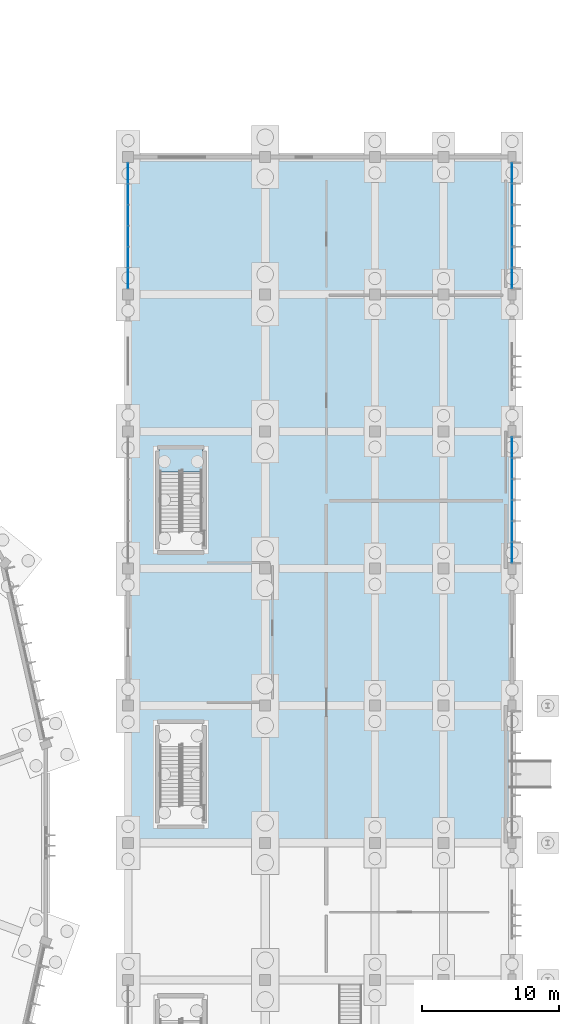
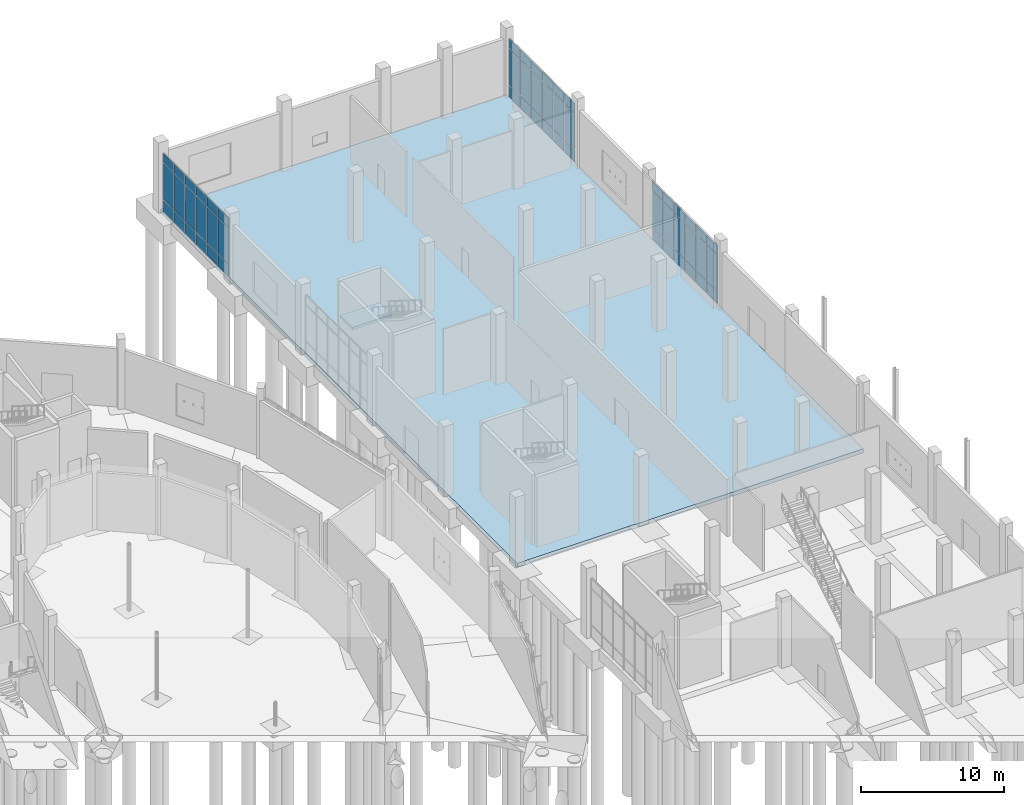
# One storey, part 71 of 140: 54 plates, 2 slabs, 4 elements without a shape of their own.
"""IFC4 building model written with IfcOpenShell, lengths in metres."""

from ifc_helpers import new_model, si_unit, direction, frame, origin, origin_2d, place, context, subcontext, project, spatial, polyline, rectangle, outline, extrude, material, layer, layer_set, type_object, element, aggregate, save


model = new_model("IFC4")

# Units and contexts
model_context = context("Model", 3, precision=1e-05, world=origin(), true_north=direction((0.0, 1.0)))
body_context = subcontext(model_context, "Body", "Model", "MODEL_VIEW")
ifc_project = project(units=[si_unit("LENGTHUNIT", "METRE"), si_unit("AREAUNIT", "SQUARE_METRE"), si_unit("VOLUMEUNIT", "CUBIC_METRE"), si_unit("PLANEANGLEUNIT", "RADIAN"), si_unit("MASSUNIT", "GRAM", prefix="KILO")], contexts=[model_context])

# Site, building, storey
site_placement = place(None, origin())
site = spatial("IfcSite", under=ifc_project, at=site_placement, CompositionType="ELEMENT")
building_placement = place(site_placement, origin())
building = spatial("IfcBuilding", under=site, at=building_placement, Name="Corvandel Quay Wholesale Market", CompositionType="ELEMENT")
storey_placement = place(building_placement, origin())
storey = spatial("IfcBuildingStorey", under=building, at=storey_placement, Name="L00", CompositionType="ELEMENT", Elevation=0.0)

# Curtain wall, plates
ifc_material_1 = material(Name="Bronze anodised aluminium and low-E insulated glazing", Category="aluminium")
ifc_layer_1 = layer(ifc_material_1, 0.14990234375)
ifc_layer_set_1 = layer_set([ifc_layer_1], Name="Bronze anodised aluminium and low-E insulated glazing")
curtain_wall_type_1 = type_object("IfcCurtainWallType", Name="Stick Curtain Wall System CW20 H4800", PredefinedType="NOTDEFINED", material=ifc_layer_set_1)
curtain_wall_1_placement = place(storey_placement, origin())
curtain_wall_1 = element("IfcCurtainWall", 1, at=curtain_wall_1_placement, inside=storey, type_object=curtain_wall_type_1, Name="Curtain Wall CW-0145", PredefinedType="NOTDEFINED")
ifc_material_2 = material(Name="Solar-control low-E insulated glazing", Category="glass")
ifc_layer_2 = layer(ifc_material_2, 0.0400390625)
ifc_layer_set_2 = layer_set([ifc_layer_2], Name="Solar-control low-E insulated glazing")
plate_type_1 = type_object("IfcPlateType", Name="Ceramic Fritted Spandrel Panel PN03 40mm", PredefinedType="CURTAIN_PANEL", material=ifc_layer_set_2)
plate_1_placement = place(storey_placement, frame((248.0, 81.166748046875, 4.22998046875), z_axis=(0.0, 0.0, 1.0), x_axis=(0.0, 1.0, 0.0)))
plate_1 = element("IfcPlate", 2, at=plate_1_placement, type_object=plate_type_1, Name="Glazing Panel CW-0145-P00-2", PredefinedType="CURTAIN_PANEL", context=body_context, shape_type="SweptSolid", body=[
    extrude(rectangle(XDim=1.46826171875, YDim=0.0400390625, at=origin_2d()), origin(), (0.0, 0.0, 1.0), 0.7900390625),
])
plate_2_placement = place(storey_placement, frame((248.0, 82.699951171875, 4.22998046875), z_axis=(0.0, 0.0, 1.0), x_axis=(0.0, 1.0, 0.0)))
plate_2 = element("IfcPlate", 3, at=plate_2_placement, type_object=plate_type_1, Name="Glazing Panel CW-0145-P01-2", PredefinedType="CURTAIN_PANEL", context=body_context, shape_type="SweptSolid", body=[
    extrude(rectangle(XDim=1.46826171875, YDim=0.0400390625, at=origin_2d()), origin(), (0.0, 0.0, 1.0), 0.7900390625),
])
plate_3_placement = place(storey_placement, frame((248.0, 84.2333984375, 4.22998046875), z_axis=(0.0, 0.0, 1.0), x_axis=(0.0, 1.0, 0.0)))
plate_3 = element("IfcPlate", 4, at=plate_3_placement, type_object=plate_type_1, Name="Glazing Panel CW-0145-P02-2", PredefinedType="CURTAIN_PANEL", context=body_context, shape_type="SweptSolid", body=[
    extrude(rectangle(XDim=1.46826171875, YDim=0.0400390625, at=origin_2d()), origin(), (0.0, 0.0, 1.0), 0.7900390625),
])
plate_4_placement = place(storey_placement, frame((248.0, 85.7666015625, 4.22998046875), z_axis=(0.0, 0.0, 1.0), x_axis=(0.0, 1.0, 0.0)))
plate_4 = element("IfcPlate", 5, at=plate_4_placement, type_object=plate_type_1, Name="Glazing Panel CW-0145-P03-2", PredefinedType="CURTAIN_PANEL", context=body_context, shape_type="SweptSolid", body=[
    extrude(rectangle(XDim=1.46826171875, YDim=0.0400390625, at=origin_2d()), origin(), (0.0, 0.0, 1.0), 0.7900390625),
])
plate_5_placement = place(storey_placement, frame((248.0, 87.300048828125, 4.22998046875), z_axis=(0.0, 0.0, 1.0), x_axis=(0.0, 1.0, 0.0)))
plate_5 = element("IfcPlate", 6, at=plate_5_placement, type_object=plate_type_1, Name="Glazing Panel CW-0145-P04-2", PredefinedType="CURTAIN_PANEL", context=body_context, shape_type="SweptSolid", body=[
    extrude(rectangle(XDim=1.46826171875, YDim=0.0400390625, at=origin_2d()), origin(), (0.0, 0.0, 1.0), 0.7900390625),
])
plate_6_placement = place(storey_placement, frame((248.0, 88.833251953125, 4.22998046875), z_axis=(0.0, 0.0, 1.0), x_axis=(0.0, 1.0, 0.0)))
plate_6 = element("IfcPlate", 7, at=plate_6_placement, type_object=plate_type_1, Name="Glazing Panel CW-0145-P05-2", PredefinedType="CURTAIN_PANEL", context=body_context, shape_type="SweptSolid", body=[
    extrude(rectangle(XDim=1.46826171875, YDim=0.0400390625, at=origin_2d()), origin(), (0.0, 0.0, 1.0), 0.7900390625),
])

ifc_layer_3 = layer(ifc_material_1, 0.174072265625)
ifc_layer_set_3 = layer_set([ifc_layer_3], Name="Bronze anodised aluminium and low-E insulated glazing")
curtain_wall_type_2 = type_object("IfcCurtainWallType", Name="Stick Curtain Wall System CW22 H4980", PredefinedType="NOTDEFINED", material=ifc_layer_set_3)
curtain_wall_2_placement = place(storey_placement, origin())
curtain_wall_2 = element("IfcCurtainWall", 8, at=curtain_wall_2_placement, inside=storey, type_object=curtain_wall_type_2, Name="Curtain Wall CW-0147", PredefinedType="NOTDEFINED")
plate_7_placement = place(storey_placement, frame((248.0, 101.166748046875, 4.22998046875), z_axis=(0.0, 0.0, 1.0), x_axis=(0.0, 1.0, 0.0)))
plate_7 = element("IfcPlate", 9, at=plate_7_placement, type_object=plate_type_1, Name="Glazing Panel CW-0147-P00-2", PredefinedType="CURTAIN_PANEL", context=body_context, shape_type="SweptSolid", body=[
    extrude(rectangle(XDim=1.46826171875, YDim=0.0400390625, at=origin_2d()), origin(), (0.0, 0.0, 1.0), 0.7900390625),
])
plate_8_placement = place(storey_placement, frame((248.0, 102.699951171875, 4.22998046875), z_axis=(0.0, 0.0, 1.0), x_axis=(0.0, 1.0, 0.0)))
plate_8 = element("IfcPlate", 10, at=plate_8_placement, type_object=plate_type_1, Name="Glazing Panel CW-0147-P01-2", PredefinedType="CURTAIN_PANEL", context=body_context, shape_type="SweptSolid", body=[
    extrude(rectangle(XDim=1.46826171875, YDim=0.0400390625, at=origin_2d()), origin(), (0.0, 0.0, 1.0), 0.7900390625),
])
plate_9_placement = place(storey_placement, frame((248.0, 104.2333984375, 4.22998046875), z_axis=(0.0, 0.0, 1.0), x_axis=(0.0, 1.0, 0.0)))
plate_9 = element("IfcPlate", 11, at=plate_9_placement, type_object=plate_type_1, Name="Glazing Panel CW-0147-P02-2", PredefinedType="CURTAIN_PANEL", context=body_context, shape_type="SweptSolid", body=[
    extrude(rectangle(XDim=1.46826171875, YDim=0.0400390625, at=origin_2d()), origin(), (0.0, 0.0, 1.0), 0.7900390625),
])
plate_10_placement = place(storey_placement, frame((248.0, 105.7666015625, 4.22998046875), z_axis=(0.0, 0.0, 1.0), x_axis=(0.0, 1.0, 0.0)))
plate_10 = element("IfcPlate", 12, at=plate_10_placement, type_object=plate_type_1, Name="Glazing Panel CW-0147-P03-2", PredefinedType="CURTAIN_PANEL", context=body_context, shape_type="SweptSolid", body=[
    extrude(rectangle(XDim=1.46826171875, YDim=0.0400390625, at=origin_2d()), origin(), (0.0, 0.0, 1.0), 0.7900390625),
])
plate_11_placement = place(storey_placement, frame((248.0, 107.300048828125, 4.22998046875), z_axis=(0.0, 0.0, 1.0), x_axis=(0.0, 1.0, 0.0)))
plate_11 = element("IfcPlate", 13, at=plate_11_placement, type_object=plate_type_1, Name="Glazing Panel CW-0147-P04-2", PredefinedType="CURTAIN_PANEL", context=body_context, shape_type="SweptSolid", body=[
    extrude(rectangle(XDim=1.46826171875, YDim=0.0400390625, at=origin_2d()), origin(), (0.0, 0.0, 1.0), 0.7900390625),
])
plate_12_placement = place(storey_placement, frame((248.0, 108.833251953125, 4.22998046875), z_axis=(0.0, 0.0, 1.0), x_axis=(0.0, 1.0, 0.0)))
plate_12 = element("IfcPlate", 14, at=plate_12_placement, type_object=plate_type_1, Name="Glazing Panel CW-0147-P05-2", PredefinedType="CURTAIN_PANEL", context=body_context, shape_type="SweptSolid", body=[
    extrude(rectangle(XDim=1.46826171875, YDim=0.0400390625, at=origin_2d()), origin(), (0.0, 0.0, 1.0), 0.7900390625),
])

ifc_layer_4 = layer(ifc_material_1, 0.18603515625)
ifc_layer_set_4 = layer_set([ifc_layer_4], Name="Bronze anodised aluminium and low-E insulated glazing")
curtain_wall_type_3 = type_object("IfcCurtainWallType", Name="Stick Curtain Wall System CW28 H5520", PredefinedType="NOTDEFINED", material=ifc_layer_set_4)
curtain_wall_3_placement = place(storey_placement, origin())
curtain_wall_3 = element("IfcCurtainWall", 15, at=curtain_wall_3_placement, inside=storey, type_object=curtain_wall_type_3, Name="Curtain Wall CW-0148", PredefinedType="NOTDEFINED")
plate_13_placement = place(storey_placement, frame((220.0, 101.166748046875, 4.22998046875), z_axis=(0.0, 0.0, 1.0), x_axis=(0.0, 1.0, 0.0)))
plate_13 = element("IfcPlate", 16, at=plate_13_placement, type_object=plate_type_1, Name="Glazing Panel CW-0148-P00-2", PredefinedType="CURTAIN_PANEL", context=body_context, shape_type="SweptSolid", body=[
    extrude(rectangle(XDim=1.46826171875, YDim=0.0400390625, at=origin_2d()), origin(), (0.0, 0.0, 1.0), 0.7900390625),
])
plate_14_placement = place(storey_placement, frame((220.0, 102.699951171875, 4.22998046875), z_axis=(0.0, 0.0, 1.0), x_axis=(0.0, 1.0, 0.0)))
plate_14 = element("IfcPlate", 17, at=plate_14_placement, type_object=plate_type_1, Name="Glazing Panel CW-0148-P01-2", PredefinedType="CURTAIN_PANEL", context=body_context, shape_type="SweptSolid", body=[
    extrude(rectangle(XDim=1.46826171875, YDim=0.0400390625, at=origin_2d()), origin(), (0.0, 0.0, 1.0), 0.7900390625),
])
plate_15_placement = place(storey_placement, frame((220.0, 104.2333984375, 4.22998046875), z_axis=(0.0, 0.0, 1.0), x_axis=(0.0, 1.0, 0.0)))
plate_15 = element("IfcPlate", 18, at=plate_15_placement, type_object=plate_type_1, Name="Glazing Panel CW-0148-P02-2", PredefinedType="CURTAIN_PANEL", context=body_context, shape_type="SweptSolid", body=[
    extrude(rectangle(XDim=1.46826171875, YDim=0.0400390625, at=origin_2d()), origin(), (0.0, 0.0, 1.0), 0.7900390625),
])
plate_16_placement = place(storey_placement, frame((220.0, 105.7666015625, 4.22998046875), z_axis=(0.0, 0.0, 1.0), x_axis=(0.0, 1.0, 0.0)))
plate_16 = element("IfcPlate", 19, at=plate_16_placement, type_object=plate_type_1, Name="Glazing Panel CW-0148-P03-2", PredefinedType="CURTAIN_PANEL", context=body_context, shape_type="SweptSolid", body=[
    extrude(rectangle(XDim=1.46826171875, YDim=0.0400390625, at=origin_2d()), origin(), (0.0, 0.0, 1.0), 0.7900390625),
])
plate_17_placement = place(storey_placement, frame((220.0, 107.300048828125, 4.22998046875), z_axis=(0.0, 0.0, 1.0), x_axis=(0.0, 1.0, 0.0)))
plate_17 = element("IfcPlate", 20, at=plate_17_placement, type_object=plate_type_1, Name="Glazing Panel CW-0148-P04-2", PredefinedType="CURTAIN_PANEL", context=body_context, shape_type="SweptSolid", body=[
    extrude(rectangle(XDim=1.46826171875, YDim=0.0400390625, at=origin_2d()), origin(), (0.0, 0.0, 1.0), 0.7900390625),
])
plate_18_placement = place(storey_placement, frame((220.0, 108.833251953125, 4.22998046875), z_axis=(0.0, 0.0, 1.0), x_axis=(0.0, 1.0, 0.0)))
plate_18 = element("IfcPlate", 21, at=plate_18_placement, type_object=plate_type_1, Name="Glazing Panel CW-0148-P05-2", PredefinedType="CURTAIN_PANEL", context=body_context, shape_type="SweptSolid", body=[
    extrude(rectangle(XDim=1.46826171875, YDim=0.0400390625, at=origin_2d()), origin(), (0.0, 0.0, 1.0), 0.7900390625),
])

# Plate
ifc_layer_5 = layer(ifc_material_2, 0.028076171875)
ifc_layer_set_5 = layer_set([ifc_layer_5], Name="Solar-control low-E insulated glazing")
plate_type_2 = type_object("IfcPlateType", Name="Double Low-E Vision Panel PN01 28mm", PredefinedType="CURTAIN_PANEL", material=ifc_layer_set_5)
plate_19_placement = place(storey_placement, frame((248.0, 81.166748046875, 0.02978515625), z_axis=(0.0, 0.0, 1.0), x_axis=(0.0, 1.0, 0.0)))
plate_19 = element("IfcPlate", 22, at=plate_19_placement, type_object=plate_type_2, Name="Glazing Panel CW-0145-P00-0", PredefinedType="CURTAIN_PANEL", context=body_context, shape_type="SweptSolid", body=[
    extrude(rectangle(XDim=1.46826171875, YDim=0.028076171875, at=origin_2d()), origin(), (0.0, 0.0, 1.0), 0.989990234375),
])

plate_20_placement = place(storey_placement, frame((248.0, 81.166748046875, 1.080078125), z_axis=(0.0, 0.0, 1.0), x_axis=(0.0, 1.0, 0.0)))
plate_20 = element("IfcPlate", 23, at=plate_20_placement, type_object=plate_type_2, Name="Glazing Panel CW-0145-P00-1", PredefinedType="CURTAIN_PANEL", context=body_context, shape_type="SweptSolid", body=[
    extrude(rectangle(XDim=1.46826171875, YDim=0.028076171875, at=origin_2d()), origin(), (0.0, 0.0, 1.0), 3.090087890625),
])

plate_21_placement = place(storey_placement, frame((248.0, 82.699951171875, 0.02978515625), z_axis=(0.0, 0.0, 1.0), x_axis=(0.0, 1.0, 0.0)))
plate_21 = element("IfcPlate", 24, at=plate_21_placement, type_object=plate_type_2, Name="Glazing Panel CW-0145-P01-0", PredefinedType="CURTAIN_PANEL", context=body_context, shape_type="SweptSolid", body=[
    extrude(rectangle(XDim=1.46826171875, YDim=0.028076171875, at=origin_2d()), origin(), (0.0, 0.0, 1.0), 0.989990234375),
])

plate_22_placement = place(storey_placement, frame((248.0, 82.699951171875, 1.080078125), z_axis=(0.0, 0.0, 1.0), x_axis=(0.0, 1.0, 0.0)))
plate_22 = element("IfcPlate", 25, at=plate_22_placement, type_object=plate_type_2, Name="Glazing Panel CW-0145-P01-1", PredefinedType="CURTAIN_PANEL", context=body_context, shape_type="SweptSolid", body=[
    extrude(rectangle(XDim=1.46826171875, YDim=0.028076171875, at=origin_2d()), origin(), (0.0, 0.0, 1.0), 3.090087890625),
])

plate_23_placement = place(storey_placement, frame((248.0, 84.2333984375, 0.02978515625), z_axis=(0.0, 0.0, 1.0), x_axis=(0.0, 1.0, 0.0)))
plate_23 = element("IfcPlate", 26, at=plate_23_placement, type_object=plate_type_2, Name="Glazing Panel CW-0145-P02-0", PredefinedType="CURTAIN_PANEL", context=body_context, shape_type="SweptSolid", body=[
    extrude(rectangle(XDim=1.46826171875, YDim=0.028076171875, at=origin_2d()), origin(), (0.0, 0.0, 1.0), 0.989990234375),
])

plate_24_placement = place(storey_placement, frame((248.0, 84.2333984375, 1.080078125), z_axis=(0.0, 0.0, 1.0), x_axis=(0.0, 1.0, 0.0)))
plate_24 = element("IfcPlate", 27, at=plate_24_placement, type_object=plate_type_2, Name="Glazing Panel CW-0145-P02-1", PredefinedType="CURTAIN_PANEL", context=body_context, shape_type="SweptSolid", body=[
    extrude(rectangle(XDim=1.46826171875, YDim=0.028076171875, at=origin_2d()), origin(), (0.0, 0.0, 1.0), 3.090087890625),
])

plate_25_placement = place(storey_placement, frame((248.0, 85.7666015625, 0.02978515625), z_axis=(0.0, 0.0, 1.0), x_axis=(0.0, 1.0, 0.0)))
plate_25 = element("IfcPlate", 28, at=plate_25_placement, type_object=plate_type_2, Name="Glazing Panel CW-0145-P03-0", PredefinedType="CURTAIN_PANEL", context=body_context, shape_type="SweptSolid", body=[
    extrude(rectangle(XDim=1.46826171875, YDim=0.028076171875, at=origin_2d()), origin(), (0.0, 0.0, 1.0), 0.989990234375),
])

plate_26_placement = place(storey_placement, frame((248.0, 85.7666015625, 1.080078125), z_axis=(0.0, 0.0, 1.0), x_axis=(0.0, 1.0, 0.0)))
plate_26 = element("IfcPlate", 29, at=plate_26_placement, type_object=plate_type_2, Name="Glazing Panel CW-0145-P03-1", PredefinedType="CURTAIN_PANEL", context=body_context, shape_type="SweptSolid", body=[
    extrude(rectangle(XDim=1.46826171875, YDim=0.028076171875, at=origin_2d()), origin(), (0.0, 0.0, 1.0), 3.090087890625),
])

plate_27_placement = place(storey_placement, frame((248.0, 87.300048828125, 0.02978515625), z_axis=(0.0, 0.0, 1.0), x_axis=(0.0, 1.0, 0.0)))
plate_27 = element("IfcPlate", 30, at=plate_27_placement, type_object=plate_type_2, Name="Glazing Panel CW-0145-P04-0", PredefinedType="CURTAIN_PANEL", context=body_context, shape_type="SweptSolid", body=[
    extrude(rectangle(XDim=1.46826171875, YDim=0.028076171875, at=origin_2d()), origin(), (0.0, 0.0, 1.0), 0.989990234375),
])

plate_28_placement = place(storey_placement, frame((248.0, 87.300048828125, 1.080078125), z_axis=(0.0, 0.0, 1.0), x_axis=(0.0, 1.0, 0.0)))
plate_28 = element("IfcPlate", 31, at=plate_28_placement, type_object=plate_type_2, Name="Glazing Panel CW-0145-P04-1", PredefinedType="CURTAIN_PANEL", context=body_context, shape_type="SweptSolid", body=[
    extrude(rectangle(XDim=1.46826171875, YDim=0.028076171875, at=origin_2d()), origin(), (0.0, 0.0, 1.0), 3.090087890625),
])

plate_29_placement = place(storey_placement, frame((248.0, 88.833251953125, 0.02978515625), z_axis=(0.0, 0.0, 1.0), x_axis=(0.0, 1.0, 0.0)))
plate_29 = element("IfcPlate", 32, at=plate_29_placement, type_object=plate_type_2, Name="Glazing Panel CW-0145-P05-0", PredefinedType="CURTAIN_PANEL", context=body_context, shape_type="SweptSolid", body=[
    extrude(rectangle(XDim=1.46826171875, YDim=0.028076171875, at=origin_2d()), origin(), (0.0, 0.0, 1.0), 0.989990234375),
])

plate_30_placement = place(storey_placement, frame((248.0, 88.833251953125, 1.080078125), z_axis=(0.0, 0.0, 1.0), x_axis=(0.0, 1.0, 0.0)))
plate_30 = element("IfcPlate", 33, at=plate_30_placement, type_object=plate_type_2, Name="Glazing Panel CW-0145-P05-1", PredefinedType="CURTAIN_PANEL", context=body_context, shape_type="SweptSolid", body=[
    extrude(rectangle(XDim=1.46826171875, YDim=0.028076171875, at=origin_2d()), origin(), (0.0, 0.0, 1.0), 3.090087890625),
])

aggregate(curtain_wall_1, [plate_19, plate_20, plate_1, plate_21, plate_22, plate_2, plate_23, plate_24, plate_3, plate_25, plate_26, plate_4, plate_27, plate_28, plate_5, plate_29, plate_30, plate_6])

plate_31_placement = place(storey_placement, frame((248.0, 101.166748046875, 0.02978515625), z_axis=(0.0, 0.0, 1.0), x_axis=(0.0, 1.0, 0.0)))
plate_31 = element("IfcPlate", 34, at=plate_31_placement, type_object=plate_type_2, Name="Glazing Panel CW-0147-P00-0", PredefinedType="CURTAIN_PANEL", context=body_context, shape_type="SweptSolid", body=[
    extrude(rectangle(XDim=1.46826171875, YDim=0.028076171875, at=origin_2d()), origin(), (0.0, 0.0, 1.0), 0.989990234375),
])

plate_32_placement = place(storey_placement, frame((248.0, 101.166748046875, 1.080078125), z_axis=(0.0, 0.0, 1.0), x_axis=(0.0, 1.0, 0.0)))
plate_32 = element("IfcPlate", 35, at=plate_32_placement, type_object=plate_type_2, Name="Glazing Panel CW-0147-P00-1", PredefinedType="CURTAIN_PANEL", context=body_context, shape_type="SweptSolid", body=[
    extrude(rectangle(XDim=1.46826171875, YDim=0.028076171875, at=origin_2d()), origin(), (0.0, 0.0, 1.0), 3.090087890625),
])

plate_33_placement = place(storey_placement, frame((248.0, 102.699951171875, 0.02978515625), z_axis=(0.0, 0.0, 1.0), x_axis=(0.0, 1.0, 0.0)))
plate_33 = element("IfcPlate", 36, at=plate_33_placement, type_object=plate_type_2, Name="Glazing Panel CW-0147-P01-0", PredefinedType="CURTAIN_PANEL", context=body_context, shape_type="SweptSolid", body=[
    extrude(rectangle(XDim=1.46826171875, YDim=0.028076171875, at=origin_2d()), origin(), (0.0, 0.0, 1.0), 0.989990234375),
])

plate_34_placement = place(storey_placement, frame((248.0, 102.699951171875, 1.080078125), z_axis=(0.0, 0.0, 1.0), x_axis=(0.0, 1.0, 0.0)))
plate_34 = element("IfcPlate", 37, at=plate_34_placement, type_object=plate_type_2, Name="Glazing Panel CW-0147-P01-1", PredefinedType="CURTAIN_PANEL", context=body_context, shape_type="SweptSolid", body=[
    extrude(rectangle(XDim=1.46826171875, YDim=0.028076171875, at=origin_2d()), origin(), (0.0, 0.0, 1.0), 3.090087890625),
])

plate_35_placement = place(storey_placement, frame((248.0, 104.2333984375, 0.02978515625), z_axis=(0.0, 0.0, 1.0), x_axis=(0.0, 1.0, 0.0)))
plate_35 = element("IfcPlate", 38, at=plate_35_placement, type_object=plate_type_2, Name="Glazing Panel CW-0147-P02-0", PredefinedType="CURTAIN_PANEL", context=body_context, shape_type="SweptSolid", body=[
    extrude(rectangle(XDim=1.46826171875, YDim=0.028076171875, at=origin_2d()), origin(), (0.0, 0.0, 1.0), 0.989990234375),
])

plate_36_placement = place(storey_placement, frame((248.0, 104.2333984375, 1.080078125), z_axis=(0.0, 0.0, 1.0), x_axis=(0.0, 1.0, 0.0)))
plate_36 = element("IfcPlate", 39, at=plate_36_placement, type_object=plate_type_2, Name="Glazing Panel CW-0147-P02-1", PredefinedType="CURTAIN_PANEL", context=body_context, shape_type="SweptSolid", body=[
    extrude(rectangle(XDim=1.46826171875, YDim=0.028076171875, at=origin_2d()), origin(), (0.0, 0.0, 1.0), 3.090087890625),
])

plate_37_placement = place(storey_placement, frame((248.0, 105.7666015625, 0.02978515625), z_axis=(0.0, 0.0, 1.0), x_axis=(0.0, 1.0, 0.0)))
plate_37 = element("IfcPlate", 40, at=plate_37_placement, type_object=plate_type_2, Name="Glazing Panel CW-0147-P03-0", PredefinedType="CURTAIN_PANEL", context=body_context, shape_type="SweptSolid", body=[
    extrude(rectangle(XDim=1.46826171875, YDim=0.028076171875, at=origin_2d()), origin(), (0.0, 0.0, 1.0), 0.989990234375),
])

plate_38_placement = place(storey_placement, frame((248.0, 105.7666015625, 1.080078125), z_axis=(0.0, 0.0, 1.0), x_axis=(0.0, 1.0, 0.0)))
plate_38 = element("IfcPlate", 41, at=plate_38_placement, type_object=plate_type_2, Name="Glazing Panel CW-0147-P03-1", PredefinedType="CURTAIN_PANEL", context=body_context, shape_type="SweptSolid", body=[
    extrude(rectangle(XDim=1.46826171875, YDim=0.028076171875, at=origin_2d()), origin(), (0.0, 0.0, 1.0), 3.090087890625),
])

plate_39_placement = place(storey_placement, frame((248.0, 107.300048828125, 0.02978515625), z_axis=(0.0, 0.0, 1.0), x_axis=(0.0, 1.0, 0.0)))
plate_39 = element("IfcPlate", 42, at=plate_39_placement, type_object=plate_type_2, Name="Glazing Panel CW-0147-P04-0", PredefinedType="CURTAIN_PANEL", context=body_context, shape_type="SweptSolid", body=[
    extrude(rectangle(XDim=1.46826171875, YDim=0.028076171875, at=origin_2d()), origin(), (0.0, 0.0, 1.0), 0.989990234375),
])

plate_40_placement = place(storey_placement, frame((248.0, 107.300048828125, 1.080078125), z_axis=(0.0, 0.0, 1.0), x_axis=(0.0, 1.0, 0.0)))
plate_40 = element("IfcPlate", 43, at=plate_40_placement, type_object=plate_type_2, Name="Glazing Panel CW-0147-P04-1", PredefinedType="CURTAIN_PANEL", context=body_context, shape_type="SweptSolid", body=[
    extrude(rectangle(XDim=1.46826171875, YDim=0.028076171875, at=origin_2d()), origin(), (0.0, 0.0, 1.0), 3.090087890625),
])

plate_41_placement = place(storey_placement, frame((248.0, 108.833251953125, 0.02978515625), z_axis=(0.0, 0.0, 1.0), x_axis=(0.0, 1.0, 0.0)))
plate_41 = element("IfcPlate", 44, at=plate_41_placement, type_object=plate_type_2, Name="Glazing Panel CW-0147-P05-0", PredefinedType="CURTAIN_PANEL", context=body_context, shape_type="SweptSolid", body=[
    extrude(rectangle(XDim=1.46826171875, YDim=0.028076171875, at=origin_2d()), origin(), (0.0, 0.0, 1.0), 0.989990234375),
])

plate_42_placement = place(storey_placement, frame((248.0, 108.833251953125, 1.080078125), z_axis=(0.0, 0.0, 1.0), x_axis=(0.0, 1.0, 0.0)))
plate_42 = element("IfcPlate", 45, at=plate_42_placement, type_object=plate_type_2, Name="Glazing Panel CW-0147-P05-1", PredefinedType="CURTAIN_PANEL", context=body_context, shape_type="SweptSolid", body=[
    extrude(rectangle(XDim=1.46826171875, YDim=0.028076171875, at=origin_2d()), origin(), (0.0, 0.0, 1.0), 3.090087890625),
])

aggregate(curtain_wall_2, [plate_31, plate_32, plate_7, plate_33, plate_34, plate_8, plate_35, plate_36, plate_9, plate_37, plate_38, plate_10, plate_39, plate_40, plate_11, plate_41, plate_42, plate_12])

plate_43_placement = place(storey_placement, frame((220.0, 101.166748046875, 0.02978515625), z_axis=(0.0, 0.0, 1.0), x_axis=(0.0, 1.0, 0.0)))
plate_43 = element("IfcPlate", 46, at=plate_43_placement, type_object=plate_type_2, Name="Glazing Panel CW-0148-P00-0", PredefinedType="CURTAIN_PANEL", context=body_context, shape_type="SweptSolid", body=[
    extrude(rectangle(XDim=1.46826171875, YDim=0.028076171875, at=origin_2d()), origin(), (0.0, 0.0, 1.0), 0.989990234375),
])

plate_44_placement = place(storey_placement, frame((220.0, 101.166748046875, 1.080078125), z_axis=(0.0, 0.0, 1.0), x_axis=(0.0, 1.0, 0.0)))
plate_44 = element("IfcPlate", 47, at=plate_44_placement, type_object=plate_type_2, Name="Glazing Panel CW-0148-P00-1", PredefinedType="CURTAIN_PANEL", context=body_context, shape_type="SweptSolid", body=[
    extrude(rectangle(XDim=1.46826171875, YDim=0.028076171875, at=origin_2d()), origin(), (0.0, 0.0, 1.0), 3.090087890625),
])

plate_45_placement = place(storey_placement, frame((220.0, 102.699951171875, 0.02978515625), z_axis=(0.0, 0.0, 1.0), x_axis=(0.0, 1.0, 0.0)))
plate_45 = element("IfcPlate", 48, at=plate_45_placement, type_object=plate_type_2, Name="Glazing Panel CW-0148-P01-0", PredefinedType="CURTAIN_PANEL", context=body_context, shape_type="SweptSolid", body=[
    extrude(rectangle(XDim=1.46826171875, YDim=0.028076171875, at=origin_2d()), origin(), (0.0, 0.0, 1.0), 0.989990234375),
])

plate_46_placement = place(storey_placement, frame((220.0, 102.699951171875, 1.080078125), z_axis=(0.0, 0.0, 1.0), x_axis=(0.0, 1.0, 0.0)))
plate_46 = element("IfcPlate", 49, at=plate_46_placement, type_object=plate_type_2, Name="Glazing Panel CW-0148-P01-1", PredefinedType="CURTAIN_PANEL", context=body_context, shape_type="SweptSolid", body=[
    extrude(rectangle(XDim=1.46826171875, YDim=0.028076171875, at=origin_2d()), origin(), (0.0, 0.0, 1.0), 3.090087890625),
])

plate_47_placement = place(storey_placement, frame((220.0, 104.2333984375, 0.02978515625), z_axis=(0.0, 0.0, 1.0), x_axis=(0.0, 1.0, 0.0)))
plate_47 = element("IfcPlate", 50, at=plate_47_placement, type_object=plate_type_2, Name="Glazing Panel CW-0148-P02-0", PredefinedType="CURTAIN_PANEL", context=body_context, shape_type="SweptSolid", body=[
    extrude(rectangle(XDim=1.46826171875, YDim=0.028076171875, at=origin_2d()), origin(), (0.0, 0.0, 1.0), 0.989990234375),
])

plate_48_placement = place(storey_placement, frame((220.0, 104.2333984375, 1.080078125), z_axis=(0.0, 0.0, 1.0), x_axis=(0.0, 1.0, 0.0)))
plate_48 = element("IfcPlate", 51, at=plate_48_placement, type_object=plate_type_2, Name="Glazing Panel CW-0148-P02-1", PredefinedType="CURTAIN_PANEL", context=body_context, shape_type="SweptSolid", body=[
    extrude(rectangle(XDim=1.46826171875, YDim=0.028076171875, at=origin_2d()), origin(), (0.0, 0.0, 1.0), 3.090087890625),
])

plate_49_placement = place(storey_placement, frame((220.0, 105.7666015625, 0.02978515625), z_axis=(0.0, 0.0, 1.0), x_axis=(0.0, 1.0, 0.0)))
plate_49 = element("IfcPlate", 52, at=plate_49_placement, type_object=plate_type_2, Name="Glazing Panel CW-0148-P03-0", PredefinedType="CURTAIN_PANEL", context=body_context, shape_type="SweptSolid", body=[
    extrude(rectangle(XDim=1.46826171875, YDim=0.028076171875, at=origin_2d()), origin(), (0.0, 0.0, 1.0), 0.989990234375),
])

plate_50_placement = place(storey_placement, frame((220.0, 105.7666015625, 1.080078125), z_axis=(0.0, 0.0, 1.0), x_axis=(0.0, 1.0, 0.0)))
plate_50 = element("IfcPlate", 53, at=plate_50_placement, type_object=plate_type_2, Name="Glazing Panel CW-0148-P03-1", PredefinedType="CURTAIN_PANEL", context=body_context, shape_type="SweptSolid", body=[
    extrude(rectangle(XDim=1.46826171875, YDim=0.028076171875, at=origin_2d()), origin(), (0.0, 0.0, 1.0), 3.090087890625),
])

plate_51_placement = place(storey_placement, frame((220.0, 107.300048828125, 0.02978515625), z_axis=(0.0, 0.0, 1.0), x_axis=(0.0, 1.0, 0.0)))
plate_51 = element("IfcPlate", 54, at=plate_51_placement, type_object=plate_type_2, Name="Glazing Panel CW-0148-P04-0", PredefinedType="CURTAIN_PANEL", context=body_context, shape_type="SweptSolid", body=[
    extrude(rectangle(XDim=1.46826171875, YDim=0.028076171875, at=origin_2d()), origin(), (0.0, 0.0, 1.0), 0.989990234375),
])

plate_52_placement = place(storey_placement, frame((220.0, 107.300048828125, 1.080078125), z_axis=(0.0, 0.0, 1.0), x_axis=(0.0, 1.0, 0.0)))
plate_52 = element("IfcPlate", 55, at=plate_52_placement, type_object=plate_type_2, Name="Glazing Panel CW-0148-P04-1", PredefinedType="CURTAIN_PANEL", context=body_context, shape_type="SweptSolid", body=[
    extrude(rectangle(XDim=1.46826171875, YDim=0.028076171875, at=origin_2d()), origin(), (0.0, 0.0, 1.0), 3.090087890625),
])

plate_53_placement = place(storey_placement, frame((220.0, 108.833251953125, 0.02978515625), z_axis=(0.0, 0.0, 1.0), x_axis=(0.0, 1.0, 0.0)))
plate_53 = element("IfcPlate", 56, at=plate_53_placement, type_object=plate_type_2, Name="Glazing Panel CW-0148-P05-0", PredefinedType="CURTAIN_PANEL", context=body_context, shape_type="SweptSolid", body=[
    extrude(rectangle(XDim=1.46826171875, YDim=0.028076171875, at=origin_2d()), origin(), (0.0, 0.0, 1.0), 0.989990234375),
])

plate_54_placement = place(storey_placement, frame((220.0, 108.833251953125, 1.080078125), z_axis=(0.0, 0.0, 1.0), x_axis=(0.0, 1.0, 0.0)))
plate_54 = element("IfcPlate", 57, at=plate_54_placement, type_object=plate_type_2, Name="Glazing Panel CW-0148-P05-1", PredefinedType="CURTAIN_PANEL", context=body_context, shape_type="SweptSolid", body=[
    extrude(rectangle(XDim=1.46826171875, YDim=0.028076171875, at=origin_2d()), origin(), (0.0, 0.0, 1.0), 3.090087890625),
])

aggregate(curtain_wall_3, [plate_43, plate_44, plate_13, plate_45, plate_46, plate_14, plate_47, plate_48, plate_15, plate_49, plate_50, plate_16, plate_51, plate_52, plate_17, plate_53, plate_54, plate_18])

# Slab
ifc_material_3 = material(Name="Concrete C40/50", Category="concrete")
ifc_layer_6 = layer(ifc_material_3, 0.35009765625)
ifc_layer_set_6 = layer_set([ifc_layer_6], Name="Concrete C40/50")
slab_type_1 = type_object("IfcSlabType", Name="Ground Bearing Base Slab 350", PredefinedType="BASESLAB", material=ifc_layer_set_6)
slab_1_placement = place(storey_placement, frame((0.0, 0.0, -0.35009765625)))
element("IfcSlab", 58, at=slab_1_placement, inside=storey, type_object=slab_type_1, Name="Slab SLB-0462", PredefinedType="BASESLAB", context=body_context, shape_type="SweptSolid", body=[
    extrude(outline(polyline([(220.0, 60.0), (248.0, 60.0), (248.0, 110.0), (220.0, 110.0), (220.0, 60.0)])), origin(), (0.0, 0.0, 1.0), 0.35009765625),
])

# Stair, slab
stair_type = type_object("IfcStairType", Name="Exit Stair Two-Return L00-L01 ST01", PredefinedType="USERDEFINED", material=ifc_material_3)
stair_placement = place(storey_placement, origin())
stair = element("IfcStair", 59, at=stair_placement, inside=storey, type_object=stair_type, Name="Exit Stair STR-038", ObjectType="TWO_RETURN_STAIR", PredefinedType="USERDEFINED")
ifc_layer_7 = layer(ifc_material_3, 0.219970703125)
ifc_layer_set_7 = layer_set([ifc_layer_7], Name="Concrete C40/50")
slab_type_2 = type_object("IfcSlabType", Name="Precast Stair Landing LND01 220", PredefinedType="LANDING", material=ifc_layer_set_7)
slab_2_placement = place(storey_placement, frame((0.0, 0.0, 2.780029296875)))
slab_2 = element("IfcSlab", 60, at=slab_2_placement, type_object=slab_type_2, Name="Stair Landing STR-038-LND", PredefinedType="LANDING", context=body_context, shape_type="SweptSolid", body=[
    extrude(outline(polyline([(222.260009765625, 87.030029296875), (225.43994140625, 87.030029296875), (225.43994140625, 88.739990234375), (222.260009765625, 88.739990234375), (222.260009765625, 87.030029296875)])), origin(), (0.0, 0.0, 1.0), 0.219970703125),
])
aggregate(stair, [slab_2])

save(model, "model.ifc")
